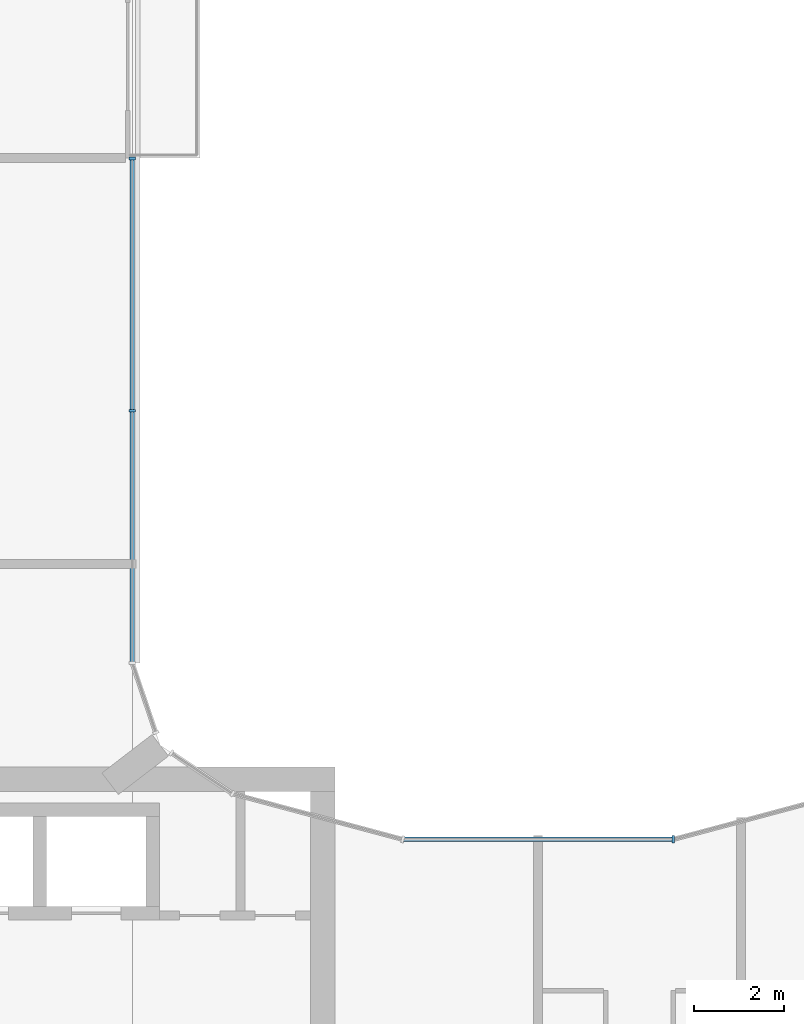
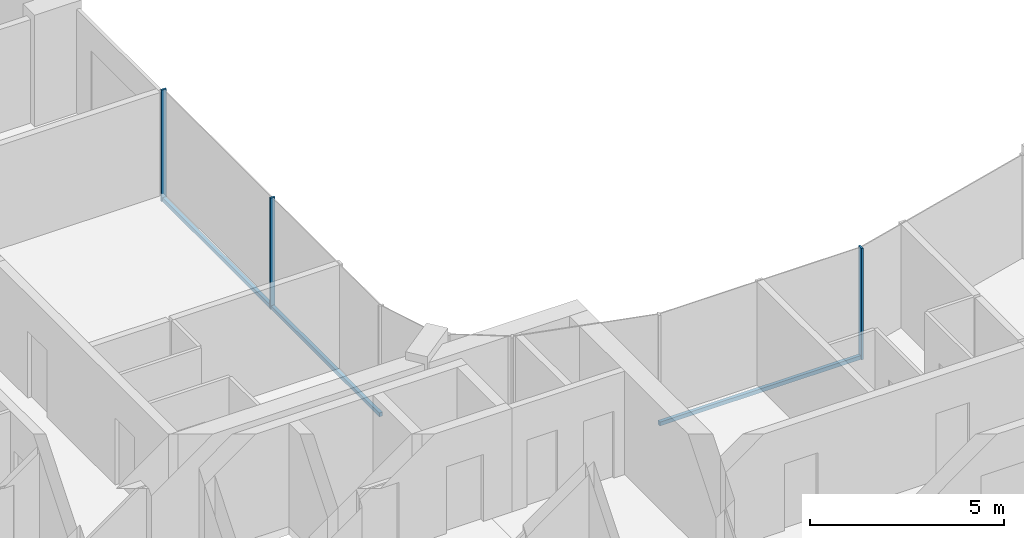
# One storey, part 5 of 15: 5 members, 2 elements without a shape of their own.
"""IFC4 building model written with IfcOpenShell, lengths in metres."""

from ifc_helpers import new_model, si_unit, direction, frame, origin, origin_2d, place, context, subcontext, project, spatial, rectangle, extrude, material, layer, layer_set, material_profile, profile_set, type_object, element, aggregate, save


model = new_model("IFC4")

# Units and contexts
model_context = context("Model", 3, precision=1e-05, world=origin(), true_north=direction((0.0, 1.0)))
body_context = subcontext(model_context, "Body", "Model", "MODEL_VIEW")
ifc_project = project(units=[si_unit("LENGTHUNIT", "METRE"), si_unit("AREAUNIT", "SQUARE_METRE"), si_unit("VOLUMEUNIT", "CUBIC_METRE"), si_unit("PLANEANGLEUNIT", "RADIAN"), si_unit("MASSUNIT", "GRAM", prefix="KILO")], contexts=[model_context])

# Site, building, storey
site_placement = place(None, origin())
site = spatial("IfcSite", under=ifc_project, at=site_placement, CompositionType="ELEMENT")
building_placement = place(site_placement, origin())
building = spatial("IfcBuilding", under=site, at=building_placement, Name="Plateau Cross Towers", CompositionType="ELEMENT")
storey_placement = place(building_placement, frame((0.0, 0.0, 197.89990234375)))
storey = spatial("IfcBuildingStorey", under=building, at=storey_placement, Name="L51", CompositionType="ELEMENT", Elevation=197.89990234375)

# Curtain wall, members
ifc_material_1 = material(Name="Dark low-iron glass", Category="glass")
ifc_layer_1 = layer(ifc_material_1, 0.239990234375)
ifc_layer_set_1 = layer_set([ifc_layer_1], Name="Dark low-iron glass")
curtain_wall_type_1 = type_object("IfcCurtainWallType", Name="Curtain wall flush unitised CW-B", PredefinedType="NOTDEFINED", material=ifc_layer_set_1)
curtain_wall_1_placement = place(storey_placement, origin())
curtain_wall_1 = element("IfcCurtainWall", 1, at=curtain_wall_1_placement, inside=storey, type_object=curtain_wall_type_1, Name="ENV/A/L51/A180_203", PredefinedType="NOTDEFINED")
ifc_material_2 = material(Name="Black anodised aluminium", Category="aluminium")
ifc_material_profile_1 = material_profile(ifc_material_2, rectangle(XDim=0.06005859375, YDim=0.139892578125, at=origin_2d()), Name="MULLION 60x140")
ifc_profile_set_1 = profile_set([ifc_material_profile_1], Name="Black anodised aluminium")
member_type_1 = type_object("IfcMemberType", Name="Mullion 60x140 flush unitised", PredefinedType="MULLION", material=ifc_profile_set_1)
member_1_placement = place(storey_placement, frame((18.0, 25.896240234375, -0.25), z_axis=(0.0, 0.0, 1.0), x_axis=(0.0, 1.0, 0.0)))
member_1 = element("IfcMember", 2, at=member_1_placement, type_object=member_type_1, Name="CW-B mullion 2", PredefinedType="MULLION", context=body_context, shape_type="SweptSolid", body=[
    extrude(rectangle(XDim=0.06005859375, YDim=0.139892578125, at=origin_2d()), origin(), (0.0, 0.0, 1.0), 3.5),
])
member_2_placement = place(storey_placement, frame((18.0, 31.489990234375, -0.25), z_axis=(0.0, 0.0, 1.0), x_axis=(0.0, 1.0, 0.0)))
member_2 = element("IfcMember", 3, at=member_2_placement, type_object=member_type_1, Name="CW-B mullion 3", PredefinedType="MULLION", context=body_context, shape_type="SweptSolid", body=[
    extrude(rectangle(XDim=0.06005859375, YDim=0.139892578125, at=origin_2d()), origin(), (0.0, 0.0, 1.0), 3.5),
])

# Curtain wall, member
ifc_layer_2 = layer(ifc_material_1, 0.260009765625)
ifc_layer_set_2 = layer_set([ifc_layer_2], Name="Dark low-iron glass")
curtain_wall_type_2 = type_object("IfcCurtainWallType", Name="Curtain wall fluted unitised CW-A", PredefinedType="NOTDEFINED", material=ifc_layer_set_2)
curtain_wall_2_placement = place(storey_placement, origin())
curtain_wall_2 = element("IfcCurtainWall", 4, at=curtain_wall_2_placement, inside=storey, type_object=curtain_wall_type_2, Name="ENV/A/L51/A300_164", PredefinedType="NOTDEFINED")
ifc_material_profile_2 = material_profile(ifc_material_2, rectangle(XDim=0.06005859375, YDim=0.159912109375, at=origin_2d()), Name="MULLION 60x160")
ifc_profile_set_2 = profile_set([ifc_material_profile_2], Name="Black anodised aluminium")
member_type_2 = type_object("IfcMemberType", Name="Mullion 60x160 fluted unitised", PredefinedType="MULLION", material=ifc_profile_set_2)
member_3_placement = place(storey_placement, frame((30.0, 16.39306640625, -0.25), z_axis=(0.0, 0.0, 1.0), x_axis=(-1.0, 0.0, 0.0)))
member_3 = element("IfcMember", 5, at=member_3_placement, type_object=member_type_2, Name="CW-A mullion 1", PredefinedType="MULLION", context=body_context, shape_type="SweptSolid", body=[
    extrude(rectangle(XDim=0.06005859375, YDim=0.159912109375, at=origin_2d()), origin(), (0.0, 0.0, 1.0), 3.5),
])

# Member
ifc_material_profile_3 = material_profile(ifc_material_2, rectangle(XDim=0.10009765625, YDim=0.1201171875, at=origin_2d()), Name="TRANSOM 100x120")
ifc_profile_set_3 = profile_set([ifc_material_profile_3], Name="Black anodised aluminium")
member_type_3 = type_object("IfcMemberType", Name="Transom 100x120 flush unitised", PredefinedType="USERDEFINED", material=ifc_profile_set_3)
member_4_placement = place(storey_placement, frame((18.0, 20.30224609375, -0.18994140625), z_axis=(0.0, 1.0, 0.0), x_axis=(-1.0, 0.0, 0.0)))
member_4 = element("IfcMember", 6, at=member_4_placement, type_object=member_type_3, Name="CW-B transom", ObjectType="TRANSOM", PredefinedType="USERDEFINED", context=body_context, shape_type="SweptSolid", body=[
    extrude(rectangle(XDim=0.10009765625, YDim=0.1201171875, at=origin_2d()), origin(), (0.0, 0.0, 1.0), 11.187744140625),
])

aggregate(curtain_wall_1, [member_1, member_2, member_4])

ifc_material_profile_4 = material_profile(ifc_material_2, rectangle(XDim=0.10009765625, YDim=0.1201171875, at=origin_2d()), Name="TRANSOM 100x120")
ifc_profile_set_4 = profile_set([ifc_material_profile_4], Name="Black anodised aluminium")
member_type_4 = type_object("IfcMemberType", Name="Transom 100x120 fluted unitised", PredefinedType="USERDEFINED", material=ifc_profile_set_4)
member_5_placement = place(storey_placement, frame((30.0, 16.39306640625, -0.18994140625), z_axis=(-1.0, 0.0, 0.0), x_axis=(0.0, -1.0, 0.0)))
member_5 = element("IfcMember", 7, at=member_5_placement, type_object=member_type_4, Name="CW-A transom", ObjectType="TRANSOM", PredefinedType="USERDEFINED", context=body_context, shape_type="SweptSolid", body=[
    extrude(rectangle(XDim=0.10009765625, YDim=0.1201171875, at=origin_2d()), origin(), (0.0, 0.0, 1.0), 6.0),
])

aggregate(curtain_wall_2, [member_3, member_5])

save(model, "model.ifc")
